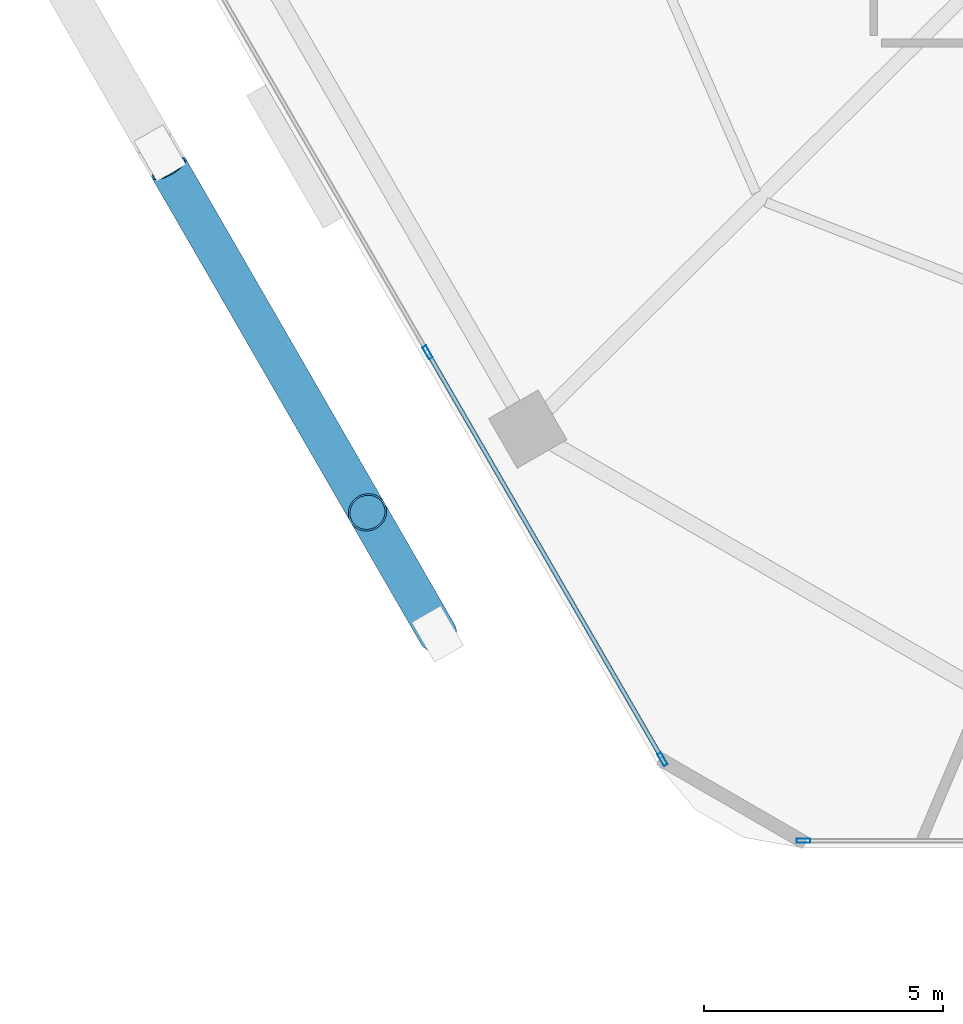
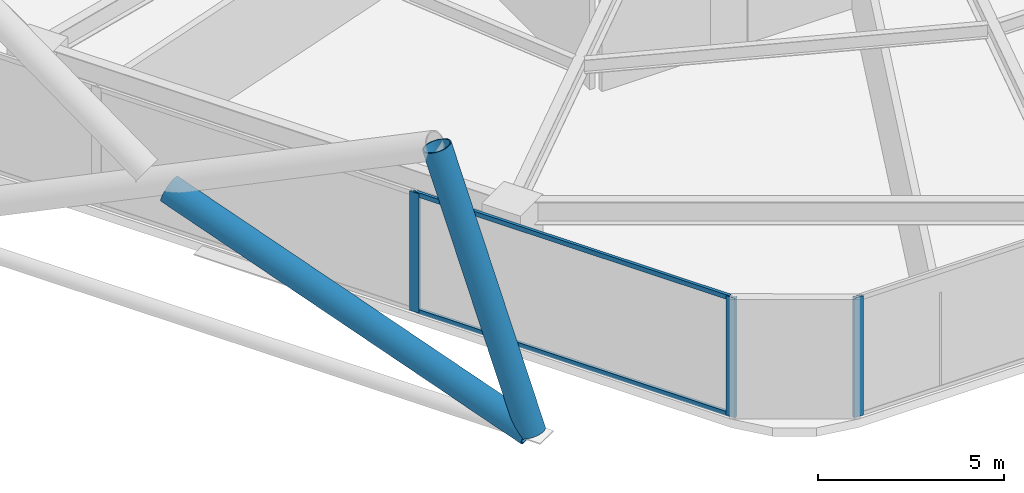
# One storey, part 2 of 30: 7 members, 2 elements without a shape of their own.
"""IFC4 building model written with IfcOpenShell, lengths in metres."""

from ifc_helpers import new_model, si_unit, direction, frame, origin, origin_2d, place, context, subcontext, project, spatial, hollow_rectangle, hollow_circle, extrude, material, material_profile, profile_set, type_object, element, aggregate, save


model = new_model("IFC4")

# Units and contexts
model_context = context("Model", 3, precision=1e-05, world=origin(), true_north=direction((0.0, 1.0)))
body_context = subcontext(model_context, "Body", "Model", "MODEL_VIEW")
ifc_project = project(units=[si_unit("LENGTHUNIT", "METRE"), si_unit("AREAUNIT", "SQUARE_METRE"), si_unit("VOLUMEUNIT", "CUBIC_METRE"), si_unit("PLANEANGLEUNIT", "RADIAN"), si_unit("MASSUNIT", "GRAM", prefix="KILO")], contexts=[model_context])

# Site, building, storey
site_placement = place(None, origin())
site = spatial("IfcSite", under=ifc_project, at=site_placement, CompositionType="ELEMENT")
building_placement = place(site_placement, origin())
building = spatial("IfcBuilding", under=site, at=building_placement, Name="Zuhravey Tower", CompositionType="ELEMENT")
storey_placement = place(building_placement, frame((0.0, 0.0, 58.199951171875)))
storey = spatial("IfcBuildingStorey", under=building, at=storey_placement, Name="L14", CompositionType="ELEMENT", Elevation=58.199951171875)

# Curtain wall, member
ifc_material_1 = material(Name="Thermally broken anodised aluminium", Category="aluminium")
curtain_wall_type = type_object("IfcCurtainWallType", Name="School Low-E Unitised Curtain Wall CW1", PredefinedType="NOTDEFINED", material=ifc_material_1)
curtain_wall_1_placement = place(storey_placement, origin())
curtain_wall_1 = element("IfcCurtainWall", 1, at=curtain_wall_1_placement, inside=storey, type_object=curtain_wall_type, Name="L14 CW1 CW-L14-F5-1", PredefinedType="NOTDEFINED")
ifc_material_2 = material(Name="Anodised aluminium", Category="aluminium")
ifc_material_profile_1 = material_profile(ifc_material_2, hollow_rectangle(XDim=0.090087890625, YDim=0.284912109375, WallThickness=0.0048828125, at=origin_2d()), Name="ALU-RHS-90x285x5")
ifc_profile_set_1 = profile_set([ifc_material_profile_1], Name="Anodised aluminium")
member_type_1 = type_object("IfcMemberType", Name="Curtain-Wall Mullion 90x180", PredefinedType="MULLION", material=ifc_profile_set_1)
member_1_placement = place(storey_placement, frame((21.24560546875, 3.04150390625, 0.0), z_axis=(0.0, 0.0, 1.0), x_axis=(0.0, -1.0, 0.0)))
member_1 = element("IfcMember", 2, at=member_1_placement, type_object=member_type_1, Name="CW1 mullion 4", PredefinedType="MULLION", context=body_context, shape_type="SweptSolid", body=[
    extrude(hollow_rectangle(XDim=0.090087890625, YDim=0.284912109375, WallThickness=0.0048828125, at=origin_2d()), origin(), (0.0, 0.0, 1.0), 3.920166015625),
])
aggregate(curtain_wall_1, [member_1])

# Curtain wall, members
curtain_wall_2_placement = place(storey_placement, origin())
curtain_wall_2 = element("IfcCurtainWall", 3, at=curtain_wall_2_placement, inside=storey, type_object=curtain_wall_type, Name="L14 CW1 CW-L14-F4-1", PredefinedType="NOTDEFINED")
member_2_placement = place(storey_placement, frame((18.298583984375, 4.742919921875, 0.0), z_axis=(0.0, 0.0, 1.0), x_axis=(-0.86602552265, -0.499999794119, 0.0)))
member_2 = element("IfcMember", 4, at=member_2_placement, type_object=member_type_1, Name="CW1 mullion 1", PredefinedType="MULLION", context=body_context, shape_type="SweptSolid", body=[
    extrude(hollow_rectangle(XDim=0.090087890625, YDim=0.284912109375, WallThickness=0.0048828125, at=origin_2d()), origin(), (0.0, 0.0, 1.0), 3.920166015625),
])
member_3_placement = place(storey_placement, frame((13.387939453125, 13.24853515625, 0.0), z_axis=(0.0, 0.0, 1.0), x_axis=(-0.86602552265, -0.499999794119, 0.0)))
member_3 = element("IfcMember", 5, at=member_3_placement, type_object=member_type_1, Name="CW1 mullion 2", PredefinedType="MULLION", context=body_context, shape_type="SweptSolid", body=[
    extrude(hollow_rectangle(XDim=0.090087890625, YDim=0.284912109375, WallThickness=0.0048828125, at=origin_2d()), origin(), (0.0, 0.0, 1.0), 3.920166015625),
])
ifc_material_profile_2 = material_profile(ifc_material_2, hollow_rectangle(XDim=0.090087890625, YDim=0.14990234375, WallThickness=0.0048828125, at=origin_2d()), Name="ALU-RHS-90x150x5")
ifc_profile_set_2 = profile_set([ifc_material_profile_2], Name="Anodised aluminium")
member_type_2 = type_object("IfcMemberType", Name="Curtain-Wall Transom 90x150", PredefinedType="USERDEFINED", material=ifc_profile_set_2)
member_4_placement = place(storey_placement, frame((18.27587890625, 4.781982421875, 0.045166015625), z_axis=(-0.499989576763, 0.86603142156, 0.0), x_axis=(-0.86603142156, -0.499989576763, 0.0)))
member_4 = element("IfcMember", 6, at=member_4_placement, type_object=member_type_2, Name="CW1 transom 1.1", ObjectType="TRANSOM", PredefinedType="USERDEFINED", context=body_context, shape_type="SweptSolid", body=[
    extrude(hollow_rectangle(XDim=0.090087890625, YDim=0.14990234375, WallThickness=0.0048828125, at=origin_2d()), origin(), (0.0, 0.0, 1.0), 9.731201171875),
])
member_5_placement = place(storey_placement, frame((18.27587890625, 4.781982421875, 3.875), z_axis=(-0.499989576763, 0.86603142156, 0.0), x_axis=(-0.86603142156, -0.499989576763, 0.0)))
member_5 = element("IfcMember", 7, at=member_5_placement, type_object=member_type_2, Name="CW1 transom 1.2", ObjectType="TRANSOM", PredefinedType="USERDEFINED", context=body_context, shape_type="SweptSolid", body=[
    extrude(hollow_rectangle(XDim=0.090087890625, YDim=0.14990234375, WallThickness=0.0048828125, at=origin_2d()), origin(), (0.0, 0.0, 1.0), 9.731201171875),
])
aggregate(curtain_wall_2, [member_2, member_3, member_4, member_5])

# Members
ifc_material_3 = material(Name="Steel SM460", Category="steel")
ifc_material_profile_3 = material_profile(ifc_material_3, hollow_circle(Radius=0.406494140625, WallThickness=0.035888671875, at=origin_2d()), Name="CHS-812.8x36")
ifc_profile_set_3 = profile_set([ifc_material_profile_3], Name="Steel SM460")
member_type_3 = type_object("IfcMemberType", Name="Exoskeleton Zone 1 Diagrid CHS813x36", PredefinedType="BRACE", material=ifc_profile_set_3)
member_6_placement = place(storey_placement, frame((13.595458984375, 7.36865234375, -0.471923828125), z_axis=(-0.165307317227, 0.286358046605, 0.943754501984), x_axis=(-0.866053660865, -0.499951054106, 0.0)))
element("IfcMember", 8, at=member_6_placement, inside=storey, type_object=member_type_3, Name="L14 Face 4 Diagrid Brace 4", PredefinedType="BRACE", context=body_context, shape_type="SweptSolid", body=[
    extrude(hollow_circle(Radius=0.406494140625, WallThickness=0.035888671875, at=origin_2d()), origin(), (0.0, 0.0, 1.0), 8.85400390625),
])
member_7_placement = place(storey_placement, frame((13.57568359375, 7.403076171875, -0.476806640625), z_axis=(-0.470168805096, 0.814366925669, 0.340217290992), x_axis=(-0.866028239721, -0.499995087982, 0.0)))
element("IfcMember", 9, at=member_7_placement, inside=storey, type_object=member_type_3, Name="L14 Face 4 Split Diagrid Brace 3A", PredefinedType="BRACE", context=body_context, shape_type="SweptSolid", body=[
    extrude(hollow_circle(Radius=0.406494140625, WallThickness=0.035888671875, at=origin_2d()), origin(), (0.0, 0.0, 1.0), 11.89794921875),
])

save(model, "model.ifc")
